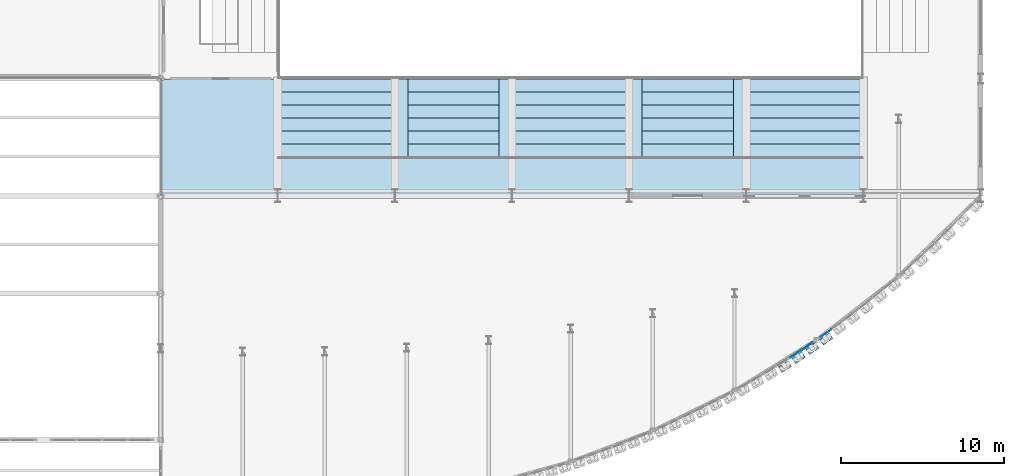
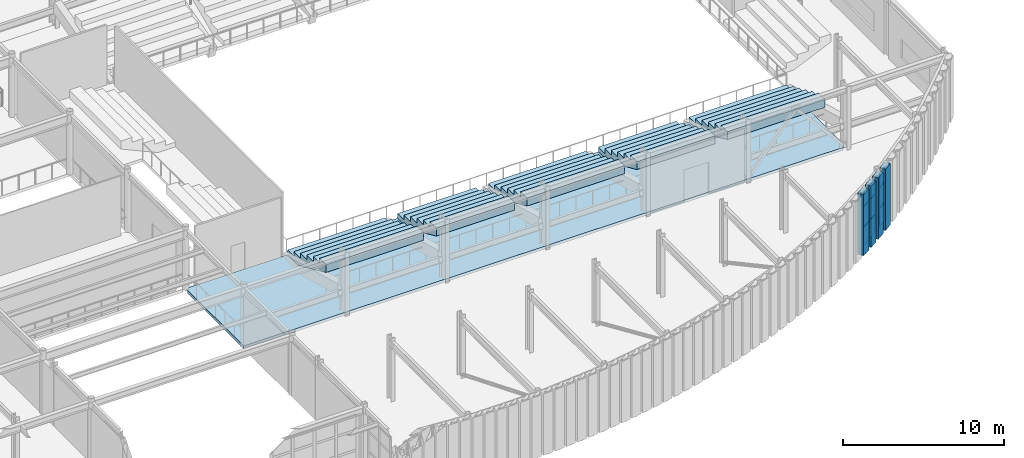
# One storey, part 86 of 121: 13 plates, 6 slabs, 2 elements without a shape of their own.
"""IFC4 building model written with IfcOpenShell, lengths in metres."""

import ifcopenshell
import ifcopenshell.guid

model = None  # the IFC model being written
_history = None  # IfcOwnerHistory: only IFC2X3 demands one
_inside = {}  # id of a spatial element -> (the spatial element, [elements in it])
_under = {}  # id of a project, library or spatial element -> (it, [spatial elements below it])
_declared = {}  # id of a project -> (the project, [libraries it declares])
_typed = {}  # id of a type object -> (the type object, [elements of that type])
_made_of = {}  # id of a material, layer set ... -> (it, [elements and type objects made of it])


def new_model(schema):
    """Start an empty IFC model of exactly this schema.

    Asked for "IFC4X3", IfcOpenShell would pick the latest addendum, in which some entities
    have other attributes; the version numbers below select the first issue.
    IFC2X3 requires an IfcOwnerHistory on every rooted entity: one is made here for all.
    """
    global model, _history
    if schema == "IFC4X3":
        model = ifcopenshell.file(schema_version=(4, 3, 0, 0))
    else:
        model = ifcopenshell.file(schema=schema)
    _inside.clear()
    _under.clear()
    _declared.clear()
    _typed.clear()
    _made_of.clear()
    _history = None
    if model.schema == "IFC2X3":
        org = make("IfcOrganization", Name="unknown")
        user = make(
            "IfcPersonAndOrganization",
            ThePerson=make("IfcPerson", FamilyName="unknown"),
            TheOrganization=org,
        )
        app = make(
            "IfcApplication",
            ApplicationDeveloper=org,
            Version="unknown",
            ApplicationFullName="unknown",
            ApplicationIdentifier="unknown",
        )
        _history = make(
            "IfcOwnerHistory",
            OwningUser=user,
            OwningApplication=app,
            ChangeAction="ADDED",
            CreationDate=0,
        )
    return model


def make(cls, **values):
    """One entity of the class cls with the attributes given. An attribute that is None is left unset."""
    return model.create_entity(
        cls, **{name: value for name, value in values.items() if value is not None}
    )


def rooted(cls, **values):
    """An entity with a GlobalId (a new one), such as an element, a storey or a relation."""
    return make(cls, GlobalId=ifcopenshell.guid.new(), OwnerHistory=_history, **values)


def si_unit(unit_type, name, prefix=None):
    """IfcSIUnit, for example si_unit("LENGTHUNIT", "METRE", prefix="MILLI")."""
    return make("IfcSIUnit", UnitType=unit_type, Prefix=prefix, Name=name)


def assignment(units):
    """IfcUnitAssignment: the units of a project."""
    return None if units is None else make("IfcUnitAssignment", Units=units)


def point(xyz):
    """IfcCartesianPoint."""
    return None if xyz is None else make("IfcCartesianPoint", Coordinates=xyz)


def direction(xyz):
    """IfcDirection."""
    return None if xyz is None else make("IfcDirection", DirectionRatios=xyz)


def frame(location, z_axis=None, x_axis=None):
    """IfcAxis2Placement3D, a coordinate frame: its origin and axes. An axis left out is left unset."""
    return make(
        "IfcAxis2Placement3D",
        Location=point(location),
        Axis=direction(z_axis),
        RefDirection=direction(x_axis),
    )


def frame_2d(location, x_axis=None):
    """IfcAxis2Placement2D, a coordinate frame in the plane: its origin and x axis."""
    return make(
        "IfcAxis2Placement2D", Location=point(location), RefDirection=direction(x_axis)
    )


def origin():
    """The frame at (0, 0, 0) with its axes left unset."""
    return frame((0.0, 0.0, 0.0))


def origin_2d():
    """The frame at (0, 0) in the plane with its x axis left unset."""
    return frame_2d((0.0, 0.0))


def place(relative_to, where):
    """IfcLocalPlacement: puts the frame where relative to a parent placement (None: the world)."""
    return make(
        "IfcLocalPlacement", PlacementRelTo=relative_to, RelativePlacement=where
    )


def context(
    kind, dimensions, precision=None, world=None, true_north=None, identifier=None
):
    """IfcGeometricRepresentationContext, for example the 3D "Model" context."""
    return make(
        "IfcGeometricRepresentationContext",
        ContextIdentifier=identifier,
        ContextType=kind,
        CoordinateSpaceDimension=dimensions,
        Precision=precision,
        WorldCoordinateSystem=world,
        TrueNorth=true_north,
    )


def subcontext(parent, identifier, kind, view, scale=None):
    """IfcGeometricRepresentationSubContext, for example "Body" below "Model"."""
    return make(
        "IfcGeometricRepresentationSubContext",
        ContextIdentifier=identifier,
        ContextType=kind,
        ParentContext=parent,
        TargetScale=scale,
        TargetView=view,
    )


def project(units=None, contexts=None):
    """IfcProject with its units and contexts."""
    return rooted(
        "IfcProject",
        Name="project",
        RepresentationContexts=contexts,
        UnitsInContext=assignment(units),
    )


def spatial(cls, under=None, at=None, **own):
    """A site, building, storey or space (cls), placed at a placement, below another one or the project."""
    s = rooted(cls, ObjectPlacement=at, **own)
    if under is not None:
        _under.setdefault(under.id(), (under, []))[1].append(s)
    return s


def polyline(points):
    """IfcPolyline through the points."""
    return make("IfcPolyline", Points=[point(p) for p in points])


def profile(cls, at=None, kind="AREA", **sizes):
    """A parametric profile (cls). Its sizes go by their IFC names, for example OverallWidth=200.0."""
    return make(cls, ProfileType=kind, Position=at, **sizes)


def rectangle(**sizes):
    """IfcRectangleProfileDef."""
    return profile("IfcRectangleProfileDef", **sizes)


def outline(outer, holes=None, kind="AREA"):
    """IfcArbitraryClosedProfileDef: a profile drawn as a closed curve; with holes, ...WithVoids."""
    if holes is None:
        return make("IfcArbitraryClosedProfileDef", ProfileType=kind, OuterCurve=outer)
    return make(
        "IfcArbitraryProfileDefWithVoids",
        ProfileType=kind,
        OuterCurve=outer,
        InnerCurves=holes,
    )


def extrude(swept, where, along, depth):
    """IfcExtrudedAreaSolid: the profile swept, set in the frame where, extruded along a direction by depth."""
    return make(
        "IfcExtrudedAreaSolid",
        SweptArea=swept,
        Position=where,
        ExtrudedDirection=direction(along),
        Depth=depth,
    )


def shape(context_of_items, identifier, shape_type, items):
    """IfcShapeRepresentation: the items that make up one representation, for example the "Body"."""
    return make(
        "IfcShapeRepresentation",
        ContextOfItems=context_of_items,
        RepresentationIdentifier=identifier,
        RepresentationType=shape_type,
        Items=items,
    )


def material(Name=None, Category=None):
    """IfcMaterial."""
    return make("IfcMaterial", Name=Name, Category=Category)


def layer(
    of_material, thickness, ventilated=None, Name=None, Category=None, Priority=None
):
    """IfcMaterialLayer: one layer of a wall or slab, of a material (None: an air gap)."""
    return make(
        "IfcMaterialLayer",
        Material=of_material,
        LayerThickness=thickness,
        IsVentilated=ventilated,
        Name=Name,
        Category=Category,
        Priority=Priority,
    )


def layer_set(layers, Name=None):
    """IfcMaterialLayerSet."""
    return make("IfcMaterialLayerSet", MaterialLayers=layers, LayerSetName=Name)


def made_of(thing, what):
    """Note that an element or type object is made of a material, layer set ...; save() writes the relation."""
    if what is not None:
        _made_of.setdefault(what.id(), (what, []))[1].append(thing)
    return thing


def type_object(cls, material=None, **own):
    """A type object (cls), such as IfcWallType, which elements share."""
    return made_of(rooted(cls, **own), material)


def element(
    cls,
    number,
    at=None,
    inside=None,
    cuts=None,
    type_object=None,
    material=None,
    context=None,
    identifier="Body",
    shape_type=None,
    held_by="IfcProductDefinitionShape",
    body=None,
    shapes=None,
    **own,
):
    """One element of the class cls, such as IfcWall. Its Tag is "e" and its number.

    at: its placement. inside: the storey or other place that contains it. cuts: it is an
    opening in that element (IfcRelVoidsElement). A single representation is given by context,
    identifier, shape_type and body (its items); several are given by shapes. held_by: the class
    of the entity that holds the representations. save() writes the other relations.
    """
    e = rooted(cls, Tag="e%d" % number, ObjectPlacement=at, **own)
    if body is not None:
        shapes = [shape(context, identifier, shape_type, body)]
    if shapes is not None:
        e.Representation = make(held_by, Representations=shapes)
    if inside is not None:
        _inside.setdefault(inside.id(), (inside, []))[1].append(e)
    if cuts is not None:
        rooted(
            "IfcRelVoidsElement", RelatingBuildingElement=cuts, RelatedOpeningElement=e
        )
    if type_object is not None:
        _typed.setdefault(type_object.id(), (type_object, []))[1].append(e)
    return made_of(e, material)


def aggregate(whole, parts):
    """IfcRelAggregates: a whole, such as a stair, and the parts it consists of."""
    return rooted("IfcRelAggregates", RelatingObject=whole, RelatedObjects=parts)


def save(model, path):
    """Write the relations noted so far, then the file.

    IfcRelAggregates (storeys below a building ...), IfcRelContainedInSpatialStructure (elements
    in a storey), IfcRelDefinesByType, IfcRelAssociatesMaterial and IfcRelDeclares: one each for
    every whole, place, type object, material and project.
    """
    for whole, parts in _under.values():
        aggregate(whole, parts)
    for where, things in _inside.values():
        rooted(
            "IfcRelContainedInSpatialStructure",
            RelatedElements=things,
            RelatingStructure=where,
        )
    for kind, things in _typed.values():
        rooted("IfcRelDefinesByType", RelatedObjects=things, RelatingType=kind)
    for what, things in _made_of.values():
        rooted("IfcRelAssociatesMaterial", RelatedObjects=things, RelatingMaterial=what)
    for by, libraries in _declared.values():
        rooted("IfcRelDeclares", RelatingContext=by, RelatedDefinitions=libraries)
    model.write(path)


model = new_model("IFC4")

# Units and contexts
model_context = context("Model", 3, precision=1e-05, world=origin(), true_north=direction((0.0, 1.0)))
body_context = subcontext(model_context, "Body", "Model", "MODEL_VIEW")
ifc_project = project(units=[si_unit("LENGTHUNIT", "METRE"), si_unit("AREAUNIT", "SQUARE_METRE"), si_unit("VOLUMEUNIT", "CUBIC_METRE"), si_unit("PLANEANGLEUNIT", "RADIAN"), si_unit("MASSUNIT", "GRAM", prefix="KILO")], contexts=[model_context])

# Site, building, storey
site_placement = place(None, origin())
site = spatial("IfcSite", under=ifc_project, at=site_placement, CompositionType="ELEMENT")
building_placement = place(site_placement, origin())
building = spatial("IfcBuilding", under=site, at=building_placement, Name="Solvadek Multi-Sports Hall", CompositionType="ELEMENT")
storey_placement = place(building_placement, frame((0.0, 0.0, 4.800048828125)))
storey = spatial("IfcBuildingStorey", under=building, at=storey_placement, Name="L01", CompositionType="ELEMENT", Elevation=4.800048828125)

# Curtain wall, plates
ifc_material_1 = material(Name="Anodised aluminium", Category="aluminium")
ifc_layer_1 = layer(ifc_material_1, 0.159912109375, Name="Anodised aluminium")
ifc_layer_set_1 = layer_set([ifc_layer_1], Name="Anodised aluminium")
curtain_wall_type_1 = type_object("IfcCurtainWallType", Name="ENV-CW-180X420", PredefinedType="USERDEFINED", material=ifc_layer_set_1)
curtain_wall_1_placement = place(storey_placement, origin())
curtain_wall_1 = element("IfcCurtainWall", 1, at=curtain_wall_1_placement, inside=storey, type_object=curtain_wall_type_1, Name="L01 Crescent Curved Curtain Wall #103", ObjectType="CURTAIN WALL", PredefinedType="USERDEFINED")
ifc_material_2 = material(Name="Tempered laminated low-E glass", Category="glass")
ifc_layer_2 = layer(ifc_material_2, 0.02392578125, Name="Tempered laminated low-E glass")
ifc_layer_set_2 = layer_set([ifc_layer_2], Name="Tempered laminated low-E glass")
plate_type_1 = type_object("IfcPlateType", Name="ENV-CWP-01", PredefinedType="CURTAIN_PANEL", material=ifc_layer_set_2)
plate_1_placement = place(storey_placement, frame((127.294189453125, -2.4443359375, 0.06005859375), z_axis=(0.0, 0.0, 1.0), x_axis=(0.812062299686, 0.583570751005, 0.0)))
plate_1 = element("IfcPlate", 2, at=plate_1_placement, type_object=plate_type_1, Name="CW-33 panel 1.1", PredefinedType="CURTAIN_PANEL", context=body_context, shape_type="SweptSolid", body=[
    extrude(rectangle(XDim=0.79443359375, YDim=0.02392578125, at=origin_2d()), origin(), (0.0, 0.0, 1.0), 1.3798828125),
])
plate_2_placement = place(storey_placement, frame((127.294189453125, -2.4443359375, 1.5), z_axis=(0.0, 0.0, 1.0), x_axis=(0.812062299686, 0.583570751005, 0.0)))
plate_2 = element("IfcPlate", 3, at=plate_2_placement, type_object=plate_type_1, Name="CW-33 panel 1.2", PredefinedType="CURTAIN_PANEL", context=body_context, shape_type="SweptSolid", body=[
    extrude(rectangle(XDim=0.79443359375, YDim=0.02392578125, at=origin_2d()), origin(), (0.0, 0.0, 1.0), 1.493896484375),
])
plate_3_placement = place(storey_placement, frame((127.294189453125, -2.4443359375, 3.053955078125), z_axis=(0.0, 0.0, 1.0), x_axis=(0.812062299686, 0.583570751005, 0.0)))
plate_3 = element("IfcPlate", 4, at=plate_3_placement, type_object=plate_type_1, Name="CW-33 panel 1.3", PredefinedType="CURTAIN_PANEL", context=body_context, shape_type="SweptSolid", body=[
    extrude(rectangle(XDim=0.79443359375, YDim=0.02392578125, at=origin_2d()), origin(), (0.0, 0.0, 1.0), 1.0859375),
])
aggregate(curtain_wall_1, [plate_1, plate_2, plate_3])

ifc_layer_3 = layer(ifc_material_1, 0.159912109375, Name="Anodised aluminium")
ifc_layer_set_3 = layer_set([ifc_layer_3], Name="Anodised aluminium")
curtain_wall_type_2 = type_object("IfcCurtainWallType", Name="ENV-CW-175X420", PredefinedType="USERDEFINED", material=ifc_layer_set_3)
curtain_wall_2_placement = place(storey_placement, origin())
curtain_wall_2 = element("IfcCurtainWall", 5, at=curtain_wall_2_placement, inside=storey, type_object=curtain_wall_type_2, Name="L01 Crescent Curved Curtain Wall #101", ObjectType="CURTAIN WALL", PredefinedType="USERDEFINED")
ifc_layer_4 = layer(ifc_material_2, 0.048095703125, Name="Tempered laminated low-E glass")
ifc_layer_set_4 = layer_set([ifc_layer_4], Name="Tempered laminated low-E glass")
plate_type_2 = type_object("IfcPlateType", Name="ENV-CWP-06", PredefinedType="CURTAIN_PANEL", material=ifc_layer_set_4)
plate_4_placement = place(storey_placement, frame((125.4423828125, -3.708984375, 0.06494140625), z_axis=(0.0, 0.0, 1.0), x_axis=(0.831997518104, 0.554779352418, 0.0)))
plate_4 = element("IfcPlate", 6, at=plate_4_placement, type_object=plate_type_2, Name="CW-32 panel 1.1", PredefinedType="CURTAIN_PANEL", context=body_context, shape_type="SweptSolid", body=[
    extrude(rectangle(XDim=0.777099609375, YDim=0.048095703125, at=origin_2d()), origin(), (0.0, 0.0, 1.0), 1.37255859375),
])
plate_5_placement = place(storey_placement, frame((125.4423828125, -3.708984375, 1.50244140625), z_axis=(0.0, 0.0, 1.0), x_axis=(0.831997518104, 0.554779352418, 0.0)))
plate_5 = element("IfcPlate", 7, at=plate_5_placement, type_object=plate_type_2, Name="CW-32 panel 1.2", PredefinedType="CURTAIN_PANEL", context=body_context, shape_type="SweptSolid", body=[
    extrude(rectangle(XDim=0.777099609375, YDim=0.048095703125, at=origin_2d()), origin(), (0.0, 0.0, 1.0), 1.489013671875),
])
plate_6_placement = place(storey_placement, frame((125.4423828125, -3.708984375, 3.056396484375), z_axis=(0.0, 0.0, 1.0), x_axis=(0.831997518104, 0.554779352418, 0.0)))
plate_6 = element("IfcPlate", 8, at=plate_6_placement, type_object=plate_type_2, Name="CW-32 panel 1.3", PredefinedType="CURTAIN_PANEL", context=body_context, shape_type="SweptSolid", body=[
    extrude(rectangle(XDim=0.777099609375, YDim=0.048095703125, at=origin_2d()), origin(), (0.0, 0.0, 1.0), 1.07861328125),
])
plate_7_placement = place(storey_placement, frame((126.14306640625, -3.24169921875, 0.06494140625), z_axis=(0.0, 0.0, 1.0), x_axis=(0.831997518104, 0.554779352418, 0.0)))
plate_7 = element("IfcPlate", 9, at=plate_7_placement, type_object=plate_type_2, Name="CW-32 panel 2.1", PredefinedType="CURTAIN_PANEL", context=body_context, shape_type="SweptSolid", body=[
    extrude(rectangle(XDim=0.777099609375, YDim=0.048095703125, at=origin_2d()), origin(), (0.0, 0.0, 1.0), 1.37255859375),
])
plate_8_placement = place(storey_placement, frame((126.14306640625, -3.24169921875, 1.50244140625), z_axis=(0.0, 0.0, 1.0), x_axis=(0.831997518104, 0.554779352418, 0.0)))
plate_8 = element("IfcPlate", 10, at=plate_8_placement, type_object=plate_type_2, Name="CW-32 panel 2.2", PredefinedType="CURTAIN_PANEL", context=body_context, shape_type="SweptSolid", body=[
    extrude(rectangle(XDim=0.777099609375, YDim=0.048095703125, at=origin_2d()), origin(), (0.0, 0.0, 1.0), 1.489013671875),
])
plate_9_placement = place(storey_placement, frame((126.14306640625, -3.24169921875, 3.056396484375), z_axis=(0.0, 0.0, 1.0), x_axis=(0.831997518104, 0.554779352418, 0.0)))
plate_9 = element("IfcPlate", 11, at=plate_9_placement, type_object=plate_type_2, Name="CW-32 panel 2.3", PredefinedType="CURTAIN_PANEL", context=body_context, shape_type="SweptSolid", body=[
    extrude(rectangle(XDim=0.777099609375, YDim=0.048095703125, at=origin_2d()), origin(), (0.0, 0.0, 1.0), 1.07861328125),
])
aggregate(curtain_wall_2, [plate_4, plate_5, plate_6, plate_7, plate_8, plate_9])

# Plates
ifc_material_3 = material(Name="Perforated champagne-bronze anodised aluminium", Category="aluminium")
ifc_layer_5 = layer(ifc_material_3, 0.419921875, Name="Perforated champagne-bronze anodised aluminium")
ifc_layer_set_5 = layer_set([ifc_layer_5], Name="Perforated champagne-bronze anodised aluminium")
plate_type_3 = type_object("IfcPlateType", Name="ENV-FLT-440", PredefinedType="USERDEFINED", material=ifc_layer_set_5)
for number, where, z_axis, x_axis, name in (
    (12, (124.77783203125, -4.491943359375, 0.0400390625), (0.0, 0.0, 1.0), (0.850582217599, 0.525842078103, 0.0), "L01 Half-Cylinder Colonnade Flute #198"),
    (13, (125.62646484375, -3.94677734375, 0.0400390625), (0.0, 0.0, 1.0), (0.832027435734, 0.5547344826, 0.0), "L01 Half-Cylinder Colonnade Flute #201"),
    (14, (126.46630859375, -3.38671875, 0.0400390625), (0.0, 0.0, 1.0), (0.832027435734, 0.5547344826, 0.0), "L01 Half-Cylinder Colonnade Flute #202"),
    (15, (127.315185546875, -2.798828125, 0.0400390625), (0.0, 0.0, 1.0), (0.812061184697, 0.583572302554, 0.0), "L01 Half-Cylinder Colonnade Flute #205"),
):
    element("IfcPlate", number, at=place(storey_placement, frame(where, z_axis=z_axis, x_axis=x_axis)), inside=storey, type_object=plate_type_3, Name=name, ObjectType="FLANGED_SHEET", PredefinedType="USERDEFINED", context=body_context, shape_type="SweptSolid", body=[
        extrude(rectangle(XDim=0.719970703125, YDim=0.419921875, at=origin_2d()), origin(), (0.0, 0.0, 1.0), 4.64990234375),
    ])

# Slabs
ifc_material_4 = material(Name="Concrete M35", Category="concrete")
ifc_layer_6 = layer(ifc_material_4, 0.219970703125, Name="Concrete M35")
ifc_layer_set_6 = layer_set([ifc_layer_6], Name="Concrete M35")
slab_type_1 = type_object("IfcSlabType", Name="STR-SLB-FLR220", PredefinedType="FLOOR", material=ifc_layer_set_6)
slab_1_placement = place(storey_placement, frame((0.0, 0.0, -0.219970703125)))
element("IfcSlab", 16, at=slab_1_placement, inside=storey, type_object=slab_type_1, Name="L01 First Floor Concourse Slab #65", PredefinedType="FLOOR", context=body_context, shape_type="SweptSolid", body=[
    extrude(outline(polyline([(86.39990234375, 12.97998046875), (86.6201171875, 13.199951171875), (129.60009765625, 13.199951171875), (129.60009765625, 6.219970703125), (129.3798828125, 6.0), (86.39990234375, 6.0), (86.39990234375, 12.97998046875)])), origin(), (0.0, 0.0, 1.0), 0.219970703125),
])
ifc_material_5 = material(Name="Precast concrete M40", Category="concrete")
ifc_layer_7 = layer(ifc_material_5, 0.219970703125, Name="Precast concrete M40")
ifc_layer_set_7 = layer_set([ifc_layer_7], Name="Precast concrete M40")
slab_type_2 = type_object("IfcSlabType", Name="STR-SLB-TIER220", PredefinedType="USERDEFINED", material=ifc_layer_set_7)
slab_2_placement = place(storey_placement, frame((97.199951171875, 13.199951171875, 0.0), z_axis=(0.0, 0.0, 1.0), x_axis=(0.0, -1.0, 0.0)))
element("IfcSlab", 17, at=slab_2_placement, inside=storey, type_object=slab_type_2, Name="L01 South Spectator Seating Tier Bay 1", ObjectType="SEATING TIER", PredefinedType="USERDEFINED", context=body_context, shape_type="SweptSolid", body=[
    extrude(outline(polyline([(0.0, 0.0), (0.0, 0.360107421875), (0.800048828125, 0.360107421875), (0.800048828125, 0.719970703125), (1.60009765625, 0.719970703125), (1.60009765625, 1.080078125), (2.39990234375, 1.080078125), (2.39990234375, 1.43994140625), (3.199951171875, 1.43994140625), (3.199951171875, 1.800048828125), (4.0, 1.800048828125), (4.0, 2.159912109375), (4.800048828125, 2.159912109375), (4.800048828125, 1.558837890625), (1.3359375, 0.0), (0.0, 0.0)])), frame((0.0, 3.5, 0.0), z_axis=(0.0, -1.0, 0.0), x_axis=(1.0, 0.0, 0.0)), (0.0, 0.0, 1.0), 7.0),
])
slab_3_placement = place(storey_placement, frame((104.39990234375, 13.199951171875, 0.0), z_axis=(0.0, 0.0, 1.0), x_axis=(0.0, -1.0, 0.0)))
element("IfcSlab", 18, at=slab_3_placement, inside=storey, type_object=slab_type_2, Name="L01 South Spectator Seating Tier Bay 2", ObjectType="SEATING TIER", PredefinedType="USERDEFINED", context=body_context, shape_type="SweptSolid", body=[
    extrude(outline(polyline([(0.0, 0.0), (0.0, 0.360107421875), (0.800048828125, 0.360107421875), (0.800048828125, 0.719970703125), (1.60009765625, 0.719970703125), (1.60009765625, 1.080078125), (2.39990234375, 1.080078125), (2.39990234375, 1.43994140625), (3.199951171875, 1.43994140625), (3.199951171875, 1.800048828125), (4.0, 1.800048828125), (4.0, 2.159912109375), (4.800048828125, 2.159912109375), (4.800048828125, 1.558837890625), (1.3359375, 0.0), (0.0, 0.0)])), frame((0.0, 2.800048828125, 0.0), z_axis=(0.0, -1.0, 0.0), x_axis=(1.0, 0.0, 0.0)), (0.0, 0.0, 1.0), 5.60009765625),
])
slab_4_placement = place(storey_placement, frame((111.60009765625, 13.199951171875, 0.0), z_axis=(0.0, 0.0, 1.0), x_axis=(0.0, -1.0, 0.0)))
element("IfcSlab", 19, at=slab_4_placement, inside=storey, type_object=slab_type_2, Name="L01 South Spectator Seating Tier Bay 3", ObjectType="SEATING TIER", PredefinedType="USERDEFINED", context=body_context, shape_type="SweptSolid", body=[
    extrude(outline(polyline([(0.0, 0.0), (0.0, 0.360107421875), (0.800048828125, 0.360107421875), (0.800048828125, 0.719970703125), (1.60009765625, 0.719970703125), (1.60009765625, 1.080078125), (2.39990234375, 1.080078125), (2.39990234375, 1.43994140625), (3.199951171875, 1.43994140625), (3.199951171875, 1.800048828125), (4.0, 1.800048828125), (4.0, 2.159912109375), (4.800048828125, 2.159912109375), (4.800048828125, 1.558837890625), (1.3359375, 0.0), (0.0, 0.0)])), frame((0.0, 3.5, 0.0), z_axis=(0.0, -1.0, 0.0), x_axis=(1.0, 0.0, 0.0)), (0.0, 0.0, 1.0), 7.0),
])
slab_5_placement = place(storey_placement, frame((118.800048828125, 13.199951171875, 0.0), z_axis=(0.0, 0.0, 1.0), x_axis=(0.0, -1.0, 0.0)))
element("IfcSlab", 20, at=slab_5_placement, inside=storey, type_object=slab_type_2, Name="L01 South Spectator Seating Tier Bay 4", ObjectType="SEATING TIER", PredefinedType="USERDEFINED", context=body_context, shape_type="SweptSolid", body=[
    extrude(outline(polyline([(0.0, 0.0), (0.0, 0.360107421875), (0.800048828125, 0.360107421875), (0.800048828125, 0.719970703125), (1.60009765625, 0.719970703125), (1.60009765625, 1.080078125), (2.39990234375, 1.080078125), (2.39990234375, 1.43994140625), (3.199951171875, 1.43994140625), (3.199951171875, 1.800048828125), (4.0, 1.800048828125), (4.0, 2.159912109375), (4.800048828125, 2.159912109375), (4.800048828125, 1.558837890625), (1.3359375, 0.0), (0.0, 0.0)])), frame((0.0, 2.800048828125, 0.0), z_axis=(0.0, -1.0, 0.0), x_axis=(1.0, 0.0, 0.0)), (0.0, 0.0, 1.0), 5.60009765625),
])
slab_6_placement = place(storey_placement, frame((126.0, 13.199951171875, 0.0), z_axis=(0.0, 0.0, 1.0), x_axis=(0.0, -1.0, 0.0)))
element("IfcSlab", 21, at=slab_6_placement, inside=storey, type_object=slab_type_2, Name="L01 South Spectator Seating Tier Bay 5", ObjectType="SEATING TIER", PredefinedType="USERDEFINED", context=body_context, shape_type="SweptSolid", body=[
    extrude(outline(polyline([(0.0, 0.0), (0.0, 0.360107421875), (0.800048828125, 0.360107421875), (0.800048828125, 0.719970703125), (1.60009765625, 0.719970703125), (1.60009765625, 1.080078125), (2.39990234375, 1.080078125), (2.39990234375, 1.43994140625), (3.199951171875, 1.43994140625), (3.199951171875, 1.800048828125), (4.0, 1.800048828125), (4.0, 2.159912109375), (4.800048828125, 2.159912109375), (4.800048828125, 1.558837890625), (1.3359375, 0.0), (0.0, 0.0)])), frame((0.0, 3.5, 0.0), z_axis=(0.0, -1.0, 0.0), x_axis=(1.0, 0.0, 0.0)), (0.0, 0.0, 1.0), 7.0),
])

save(model, "model.ifc")
